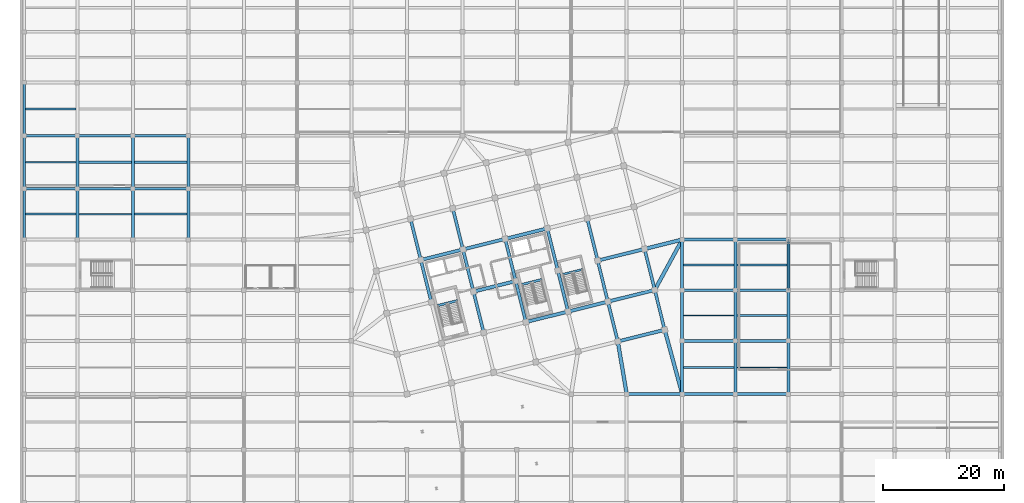
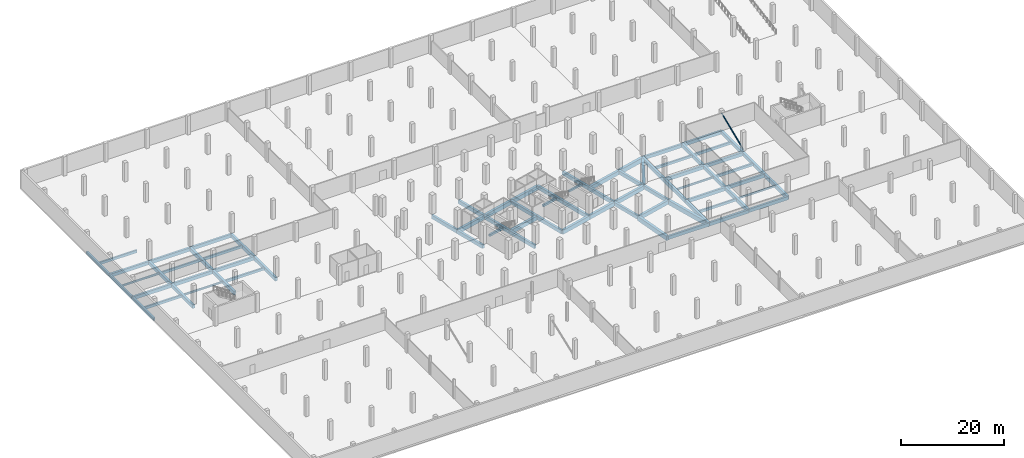
# One storey, part 11 of 31: 76 beams, 1 member.
"""IFC4 building model written with IfcOpenShell, lengths in metres."""

from ifc_helpers import new_model, si_unit, direction, frame, origin, origin_2d, place, context, subcontext, project, spatial, rectangle, hollow_circle, i_section, extrude, material, material_profile, profile_set, type_object, element, save


model = new_model("IFC4")

# Units and contexts
model_context = context("Model", 3, precision=1e-05, world=origin(), true_north=direction((0.0, 1.0)))
body_context = subcontext(model_context, "Body", "Model", "MODEL_VIEW")
ifc_project = project(units=[si_unit("LENGTHUNIT", "METRE"), si_unit("AREAUNIT", "SQUARE_METRE"), si_unit("VOLUMEUNIT", "CUBIC_METRE"), si_unit("PLANEANGLEUNIT", "RADIAN"), si_unit("MASSUNIT", "GRAM", prefix="KILO")], contexts=[model_context])

# Site, building, storey
site_placement = place(None, origin())
site = spatial("IfcSite", under=ifc_project, at=site_placement, CompositionType="ELEMENT")
building_placement = place(site_placement, origin())
building = spatial("IfcBuilding", under=site, at=building_placement, Name="Meriwether Solvik Hall", CompositionType="ELEMENT")
storey_placement = place(building_placement, frame((0.0, 0.0, -4.5)))
storey = spatial("IfcBuildingStorey", under=building, at=storey_placement, Name="B01", CompositionType="ELEMENT", Elevation=-4.5)

# Beams
ifc_material_1 = material(Name="Concrete C40/50", Category="concrete")
ifc_material_profile_1 = material_profile(ifc_material_1, rectangle(XDim=0.35009765625, YDim=0.419921875, at=origin_2d()), Name="RCB-350X420")
ifc_profile_set_1 = profile_set([ifc_material_profile_1], Name="Concrete C40/50")
beam_type_1 = type_object("IfcBeamType", Name="BM-LND-RC-350X420", PredefinedType="BEAM", material=ifc_profile_set_1)
beam_1_placement = place(storey_placement, frame((94.39892578125, 61.0302734375, 1.840087890625), z_axis=(0.970292601873, 0.24193442655, 0.0), x_axis=(-0.24193442655, 0.970292601873, 0.0)))
element("IfcBeam", 1, at=beam_1_placement, inside=storey, type_object=beam_type_1, Name="Stair ST-03 Half-Landing Header Beam (B01)", PredefinedType="BEAM", context=body_context, shape_type="SweptSolid", body=[
    extrude(rectangle(XDim=0.35009765625, YDim=0.419921875, at=origin_2d()), origin(), (0.0, 0.0, 1.0), 3.440185546875),
])
ifc_material_2 = material(Name="Concrete C40/50", Category="concrete")
ifc_material_profile_2 = material_profile(ifc_material_2, rectangle(XDim=0.39990234375, YDim=0.47998046875, at=origin_2d()), Name="RCB-400X480")
ifc_profile_set_2 = profile_set([ifc_material_profile_2], Name="Concrete C40/50")
beam_type_2 = type_object("IfcBeamType", Name="BM-LND-RC-400X480", PredefinedType="BEAM", material=ifc_profile_set_2)
beam_2_placement = place(storey_placement, frame((73.634521484375, 55.853271484375, 1.81005859375), z_axis=(0.970292601873, 0.24193442655, 0.0), x_axis=(-0.24193442655, 0.970292601873, 0.0)))
element("IfcBeam", 2, at=beam_2_placement, inside=storey, type_object=beam_type_2, Name="Stair ST-01 Half-Landing Header Beam (B01)", PredefinedType="BEAM", context=body_context, shape_type="SweptSolid", body=[
    extrude(rectangle(XDim=0.39990234375, YDim=0.47998046875, at=origin_2d()), origin(), (0.0, 0.0, 1.0), 3.440185546875),
])
beam_3_placement = place(storey_placement, frame((87.60693359375, 59.3369140625, 1.81005859375), z_axis=(0.970288447449, 0.24195108751, 0.0), x_axis=(-0.24195108751, 0.970288447449, 0.0)))
element("IfcBeam", 3, at=beam_3_placement, inside=storey, type_object=beam_type_2, Name="Stair ST-02 Half-Landing Header Beam (B01)", PredefinedType="BEAM", context=body_context, shape_type="SweptSolid", body=[
    extrude(rectangle(XDim=0.39990234375, YDim=0.47998046875, at=origin_2d()), origin(), (0.0, 0.0, 1.0), 3.43994140625),
])
ifc_material_3 = material(Name="Concrete C40/50", Category="concrete")
ifc_material_profile_3 = material_profile(ifc_material_3, rectangle(XDim=0.35009765625, YDim=0.60009765625, at=origin_2d()), Name="RCB-350X600")
ifc_profile_set_3 = profile_set([ifc_material_profile_3], Name="Concrete C40/50")
beam_type_3 = type_object("IfcBeamType", Name="BM-RC-350X600", PredefinedType="JOIST", material=ifc_profile_set_3)
for number, where, z_axis, x_axis, name in (
    (4, (5.39501953125, 71.0, -0.6298828125), (1.0, 0.0, 0.0), (0.0, 1.0, 0.0), "Secondary Floor Joist 1/H (B01)"),
    (5, (5.39501953125, 88.39990234375, -0.6298828125), (1.0, 0.0, 0.0), (0.0, 1.0, 0.0), "Secondary Floor Joist 1/J (B01)"),
):
    element("IfcBeam", number, at=place(storey_placement, frame(where, z_axis=z_axis, x_axis=x_axis)), inside=storey, type_object=beam_type_3, Name=name, PredefinedType="JOIST", context=body_context, shape_type="SweptSolid", body=[
        extrude(rectangle(XDim=0.35009765625, YDim=0.60009765625, at=origin_2d()), origin(), (0.0, 0.0, 1.0), 8.35986328125),
    ])
for number, where, z_axis, x_axis, name in (
    (6, (14.2451171875, 79.60009765625, -0.6298828125), (1.0, 0.0, 0.0), (0.0, 1.0, 0.0), "Secondary Floor Joist 2/I (B01)"),
    (7, (23.445068359375, 71.0, -0.6298828125), (1.0, 0.0, 0.0), (0.0, 1.0, 0.0), "Secondary Floor Joist 3/H (B01)"),
    (8, (23.445068359375, 79.60009765625, -0.6298828125), (1.0, 0.0, 0.0), (0.0, 1.0, 0.0), "Secondary Floor Joist 3/I (B01)"),
):
    element("IfcBeam", number, at=place(storey_placement, frame(where, z_axis=z_axis, x_axis=x_axis)), inside=storey, type_object=beam_type_3, Name=name, PredefinedType="JOIST", context=body_context, shape_type="SweptSolid", body=[
        extrude(rectangle(XDim=0.35009765625, YDim=0.60009765625, at=origin_2d()), origin(), (0.0, 0.0, 1.0), 8.7099609375),
    ])
for number, where, z_axis, x_axis, name in (
    (9, (114.445068359375, 45.60009765625, -0.699951171875), (1.0, 0.0, 0.0), (0.0, 1.0, 0.0), "Secondary Floor Joist 13/E (B01)"),
    (10, (114.445068359375, 62.60009765625, -0.699951171875), (1.0, 0.0, 0.0), (0.0, 1.0, 0.0), "Secondary Floor Joist 13/G (B01)"),
    (11, (123.2451171875, 54.199951171875, -0.6298828125), (1.0, 0.0, 0.0), (0.0, 1.0, 0.0), "Secondary Floor Joist 14/F (B01)"),
    (12, (123.2451171875, 62.60009765625, -0.6298828125), (1.0, 0.0, 0.0), (0.0, 1.0, 0.0), "Secondary Floor Joist 14/G (B01)"),
):
    element("IfcBeam", number, at=place(storey_placement, frame(where, z_axis=z_axis, x_axis=x_axis)), inside=storey, type_object=beam_type_3, Name=name, PredefinedType="JOIST", context=body_context, shape_type="SweptSolid", body=[
        extrude(rectangle(XDim=0.35009765625, YDim=0.60009765625, at=origin_2d()), origin(), (0.0, 0.0, 1.0), 8.309814453125),
    ])
ifc_material_4 = material(Name="Concrete C40/50", Category="concrete")
ifc_material_profile_4 = material_profile(ifc_material_4, rectangle(XDim=0.39990234375, YDim=0.64990234375, at=origin_2d()), Name="RCB-400X650")
ifc_profile_set_4 = profile_set([ifc_material_profile_4], Name="Concrete C40/50")
beam_type_4 = type_object("IfcBeamType", Name="BM-RC-400X650", PredefinedType="SPANDREL", material=ifc_profile_set_4)
beam_4_placement = place(storey_placement, frame((5.199951171875, 66.800048828125, -0.655029296875), z_axis=(0.0, 1.0, 0.0), x_axis=(-1.0, 0.0, 0.0)))
element("IfcBeam", 13, at=beam_4_placement, inside=storey, type_object=beam_type_4, Name="Podium Girder 1:H-I (B01)", PredefinedType="SPANDREL", context=body_context, shape_type="SweptSolid", body=[
    extrude(rectangle(XDim=0.39990234375, YDim=0.64990234375, at=origin_2d()), origin(), (0.0, 0.0, 1.0), 8.39990234375),
])
for number, where, z_axis, x_axis, name in (
    (14, (5.199951171875, 75.199951171875, -0.655029296875), (0.0, 1.0, 0.0), (-1.0, 0.0, 0.0), "Podium Girder 1:I-J (B01)"),
    (15, (5.199951171875, 84.0, -0.655029296875), (0.0, 1.0, 0.0), (-1.0, 0.0, 0.0), "Podium Girder 1:J-K (B01)"),
):
    element("IfcBeam", number, at=place(storey_placement, frame(where, z_axis=z_axis, x_axis=x_axis)), inside=storey, type_object=beam_type_4, Name=name, PredefinedType="SPANDREL", context=body_context, shape_type="SweptSolid", body=[
        extrude(rectangle(XDim=0.39990234375, YDim=0.64990234375, at=origin_2d()), origin(), (0.0, 0.0, 1.0), 8.800048828125),
    ])
ifc_material_5 = material(Name="Concrete C40/50", Category="concrete")
ifc_material_profile_5 = material_profile(ifc_material_5, rectangle(XDim=0.449951171875, YDim=0.800048828125, at=origin_2d()), Name="RCB-450X800")
ifc_profile_set_5 = profile_set([ifc_material_profile_5], Name="Concrete C40/50")
beam_type_5 = type_object("IfcBeamType", Name="BM-RC-450X800", PredefinedType="BEAM", material=ifc_profile_set_5)
beam_5_placement = place(storey_placement, frame((105.0, 41.199951171875, -0.800048828125), z_axis=(1.0, 0.0, 0.0), x_axis=(0.0, 1.0, 0.0)))
element("IfcBeam", 16, at=beam_5_placement, inside=storey, type_object=beam_type_5, Name="Podium Girder E:12-13 (B01)", PredefinedType="BEAM", context=body_context, shape_type="SweptSolid", body=[
    extrude(rectangle(XDim=0.449951171875, YDim=0.800048828125, at=origin_2d()), origin(), (0.0, 0.0, 1.0), 9.199951171875),
])
for number, where, z_axis, x_axis, name in (
    (17, (114.199951171875, 41.199951171875, -0.800048828125), (1.0, 0.0, 0.0), (0.0, 1.0, 0.0), "Podium Girder E:13-14 (B01)"),
    (18, (123.0, 41.199951171875, -0.72998046875), (1.0, 0.0, 0.0), (0.0, 1.0, 0.0), "Podium Girder E:14-15 (B01)"),
    (19, (114.199951171875, 50.0, -0.800048828125), (1.0, 0.0, 0.0), (0.0, 1.0, 0.0), "Podium Girder F:13-14 (B01)"),
    (20, (123.0, 50.0, -0.72998046875), (1.0, 0.0, 0.0), (0.0, 1.0, 0.0), "Podium Girder F:14-15 (B01)"),
    (21, (114.199951171875, 58.39990234375, -0.800048828125), (1.0, 0.0, 0.0), (0.0, 1.0, 0.0), "Podium Girder G:13-14 (B01)"),
    (22, (123.0, 58.39990234375, -0.72998046875), (1.0, 0.0, 0.0), (0.0, 1.0, 0.0), "Podium Girder G:14-15 (B01)"),
    (23, (114.199951171875, 66.800048828125, -0.800048828125), (1.0, 0.0, 0.0), (0.0, 1.0, 0.0), "Podium Girder H:13-14 (B01)"),
    (24, (123.0, 66.800048828125, -0.72998046875), (1.0, 0.0, 0.0), (0.0, 1.0, 0.0), "Podium Girder H:14-15 (B01)"),
    (25, (5.199951171875, 75.199951171875, -0.72998046875), (1.0, 0.0, 0.0), (0.0, 1.0, 0.0), "Podium Girder I:1-2 (B01)"),
):
    element("IfcBeam", number, at=place(storey_placement, frame(where, z_axis=z_axis, x_axis=x_axis)), inside=storey, type_object=beam_type_5, Name=name, PredefinedType="BEAM", context=body_context, shape_type="SweptSolid", body=[
        extrude(rectangle(XDim=0.449951171875, YDim=0.800048828125, at=origin_2d()), origin(), (0.0, 0.0, 1.0), 8.800048828125),
    ])
for number, where, z_axis, x_axis, name in (
    (26, (14.0, 75.199951171875, -0.72998046875), (1.0, 0.0, 0.0), (0.0, 1.0, 0.0), "Podium Girder I:2-3 (B01)"),
    (27, (23.199951171875, 75.199951171875, -0.72998046875), (1.0, 0.0, 0.0), (0.0, 1.0, 0.0), "Podium Girder I:3-4 (B01)"),
):
    element("IfcBeam", number, at=place(storey_placement, frame(where, z_axis=z_axis, x_axis=x_axis)), inside=storey, type_object=beam_type_5, Name=name, PredefinedType="BEAM", context=body_context, shape_type="SweptSolid", body=[
        extrude(rectangle(XDim=0.449951171875, YDim=0.800048828125, at=origin_2d()), origin(), (0.0, 0.0, 1.0), 9.199951171875),
    ])
beam_6_placement = place(storey_placement, frame((5.199951171875, 84.0, -0.72998046875), z_axis=(1.0, 0.0, 0.0), x_axis=(0.0, 1.0, 0.0)))
element("IfcBeam", 28, at=beam_6_placement, inside=storey, type_object=beam_type_5, Name="Podium Girder J:1-2 (B01)", PredefinedType="BEAM", context=body_context, shape_type="SweptSolid", body=[
    extrude(rectangle(XDim=0.449951171875, YDim=0.800048828125, at=origin_2d()), origin(), (0.0, 0.0, 1.0), 8.800048828125),
])
for number, where, z_axis, x_axis, name in (
    (29, (14.0, 84.0, -0.72998046875), (1.0, 0.0, 0.0), (0.0, 1.0, 0.0), "Podium Girder J:2-3 (B01)"),
    (30, (23.199951171875, 84.0, -0.72998046875), (1.0, 0.0, 0.0), (0.0, 1.0, 0.0), "Podium Girder J:3-4 (B01)"),
):
    element("IfcBeam", number, at=place(storey_placement, frame(where, z_axis=z_axis, x_axis=x_axis)), inside=storey, type_object=beam_type_5, Name=name, PredefinedType="BEAM", context=body_context, shape_type="SweptSolid", body=[
        extrude(rectangle(XDim=0.449951171875, YDim=0.800048828125, at=origin_2d()), origin(), (0.0, 0.0, 1.0), 9.199951171875),
    ])
ifc_material_6 = material(Name="Concrete C40/50", Category="concrete")
ifc_material_profile_6 = material_profile(ifc_material_6, rectangle(XDim=0.5, YDim=0.85009765625, at=origin_2d()), Name="RCB-500X850")
ifc_profile_set_6 = profile_set([ifc_material_profile_6], Name="Concrete C40/50")
beam_type_6 = type_object("IfcBeamType", Name="BM-RC-500X850", PredefinedType="BEAM", material=ifc_profile_set_6)
beam_7_placement = place(storey_placement, frame((14.0, 66.800048828125, -0.7548828125), z_axis=(0.0, 1.0, 0.0), x_axis=(-1.0, 0.0, 0.0)))
element("IfcBeam", 31, at=beam_7_placement, inside=storey, type_object=beam_type_6, Name="Podium Girder 2:H-I (B01)", PredefinedType="BEAM", context=body_context, shape_type="SweptSolid", body=[
    extrude(rectangle(XDim=0.5, YDim=0.85009765625, at=origin_2d()), origin(), (0.0, 0.0, 1.0), 8.39990234375),
])
beam_8_placement = place(storey_placement, frame((14.0, 75.199951171875, -0.7548828125), z_axis=(0.0, 1.0, 0.0), x_axis=(-1.0, 0.0, 0.0)))
element("IfcBeam", 32, at=beam_8_placement, inside=storey, type_object=beam_type_6, Name="Podium Girder 2:I-J (B01)", PredefinedType="BEAM", context=body_context, shape_type="SweptSolid", body=[
    extrude(rectangle(XDim=0.5, YDim=0.85009765625, at=origin_2d()), origin(), (0.0, 0.0, 1.0), 8.800048828125),
])
beam_9_placement = place(storey_placement, frame((23.199951171875, 66.800048828125, -0.7548828125), z_axis=(0.0, 1.0, 0.0), x_axis=(-1.0, 0.0, 0.0)))
element("IfcBeam", 33, at=beam_9_placement, inside=storey, type_object=beam_type_6, Name="Podium Girder 3:H-I (B01)", PredefinedType="BEAM", context=body_context, shape_type="SweptSolid", body=[
    extrude(rectangle(XDim=0.5, YDim=0.85009765625, at=origin_2d()), origin(), (0.0, 0.0, 1.0), 8.39990234375),
])
beam_10_placement = place(storey_placement, frame((23.199951171875, 75.199951171875, -0.7548828125), z_axis=(0.0, 1.0, 0.0), x_axis=(-1.0, 0.0, 0.0)))
element("IfcBeam", 34, at=beam_10_placement, inside=storey, type_object=beam_type_6, Name="Podium Girder 3:I-J (B01)", PredefinedType="BEAM", context=body_context, shape_type="SweptSolid", body=[
    extrude(rectangle(XDim=0.5, YDim=0.85009765625, at=origin_2d()), origin(), (0.0, 0.0, 1.0), 8.800048828125),
])
beam_11_placement = place(storey_placement, frame((32.39990234375, 66.800048828125, -0.7548828125), z_axis=(0.0, 1.0, 0.0), x_axis=(-1.0, 0.0, 0.0)))
element("IfcBeam", 35, at=beam_11_placement, inside=storey, type_object=beam_type_6, Name="Podium Girder 4:H-I (B01)", PredefinedType="BEAM", context=body_context, shape_type="SweptSolid", body=[
    extrude(rectangle(XDim=0.5, YDim=0.85009765625, at=origin_2d()), origin(), (0.0, 0.0, 1.0), 8.39990234375),
])
for number, where, z_axis, x_axis, name in (
    (36, (32.39990234375, 75.199951171875, -0.7548828125), (0.0, 1.0, 0.0), (-1.0, 0.0, 0.0), "Podium Girder 4:I-J (B01)"),
    (37, (114.199951171875, 41.199951171875, -0.824951171875), (0.0, 1.0, 0.0), (-1.0, 0.0, 0.0), "Podium Girder 13:E-F (B01)"),
):
    element("IfcBeam", number, at=place(storey_placement, frame(where, z_axis=z_axis, x_axis=x_axis)), inside=storey, type_object=beam_type_6, Name=name, PredefinedType="BEAM", context=body_context, shape_type="SweptSolid", body=[
        extrude(rectangle(XDim=0.5, YDim=0.85009765625, at=origin_2d()), origin(), (0.0, 0.0, 1.0), 8.800048828125),
    ])
beam_12_placement = place(storey_placement, frame((114.199951171875, 50.0, -0.824951171875), z_axis=(0.0, 1.0, 0.0), x_axis=(-1.0, 0.0, 0.0)))
element("IfcBeam", 38, at=beam_12_placement, inside=storey, type_object=beam_type_6, Name="Podium Girder 13:F-G (B01)", PredefinedType="BEAM", context=body_context, shape_type="SweptSolid", body=[
    extrude(rectangle(XDim=0.5, YDim=0.85009765625, at=origin_2d()), origin(), (0.0, 0.0, 1.0), 8.39990234375),
])
beam_13_placement = place(storey_placement, frame((114.199951171875, 58.39990234375, -0.824951171875), z_axis=(0.0, 1.0, 0.0), x_axis=(-1.0, 0.0, 0.0)))
element("IfcBeam", 39, at=beam_13_placement, inside=storey, type_object=beam_type_6, Name="Podium Girder 13:G-H (B01)", PredefinedType="BEAM", context=body_context, shape_type="SweptSolid", body=[
    extrude(rectangle(XDim=0.5, YDim=0.85009765625, at=origin_2d()), origin(), (0.0, 0.0, 1.0), 8.400146484375),
])
beam_14_placement = place(storey_placement, frame((123.0, 41.199951171875, -0.7548828125), z_axis=(0.0, 1.0, 0.0), x_axis=(-1.0, 0.0, 0.0)))
element("IfcBeam", 40, at=beam_14_placement, inside=storey, type_object=beam_type_6, Name="Podium Girder 14:E-F (B01)", PredefinedType="BEAM", context=body_context, shape_type="SweptSolid", body=[
    extrude(rectangle(XDim=0.5, YDim=0.85009765625, at=origin_2d()), origin(), (0.0, 0.0, 1.0), 8.800048828125),
])
beam_15_placement = place(storey_placement, frame((123.0, 50.0, -0.7548828125), z_axis=(0.0, 1.0, 0.0), x_axis=(-1.0, 0.0, 0.0)))
element("IfcBeam", 41, at=beam_15_placement, inside=storey, type_object=beam_type_6, Name="Podium Girder 14:F-G (B01)", PredefinedType="BEAM", context=body_context, shape_type="SweptSolid", body=[
    extrude(rectangle(XDim=0.5, YDim=0.85009765625, at=origin_2d()), origin(), (0.0, 0.0, 1.0), 8.39990234375),
])
beam_16_placement = place(storey_placement, frame((123.0, 58.39990234375, -0.7548828125), z_axis=(0.0, 1.0, 0.0), x_axis=(-1.0, 0.0, 0.0)))
element("IfcBeam", 42, at=beam_16_placement, inside=storey, type_object=beam_type_6, Name="Podium Girder 14:G-H (B01)", PredefinedType="BEAM", context=body_context, shape_type="SweptSolid", body=[
    extrude(rectangle(XDim=0.5, YDim=0.85009765625, at=origin_2d()), origin(), (0.0, 0.0, 1.0), 8.400146484375),
])
beam_17_placement = place(storey_placement, frame((131.800048828125, 41.199951171875, -0.7548828125), z_axis=(0.0, 1.0, 0.0), x_axis=(-1.0, 0.0, 0.0)))
element("IfcBeam", 43, at=beam_17_placement, inside=storey, type_object=beam_type_6, Name="Podium Girder 15:E-F (B01)", PredefinedType="BEAM", context=body_context, shape_type="SweptSolid", body=[
    extrude(rectangle(XDim=0.5, YDim=0.85009765625, at=origin_2d()), origin(), (0.0, 0.0, 1.0), 8.800048828125),
])
beam_18_placement = place(storey_placement, frame((131.800048828125, 50.0, -0.7548828125), z_axis=(0.0, 1.0, 0.0), x_axis=(-1.0, 0.0, 0.0)))
element("IfcBeam", 44, at=beam_18_placement, inside=storey, type_object=beam_type_6, Name="Podium Girder 15:F-G (B01)", PredefinedType="BEAM", context=body_context, shape_type="SweptSolid", body=[
    extrude(rectangle(XDim=0.5, YDim=0.85009765625, at=origin_2d()), origin(), (0.0, 0.0, 1.0), 8.39990234375),
])
beam_19_placement = place(storey_placement, frame((131.800048828125, 58.39990234375, -0.7548828125), z_axis=(0.0, 1.0, 0.0), x_axis=(-1.0, 0.0, 0.0)))
element("IfcBeam", 45, at=beam_19_placement, inside=storey, type_object=beam_type_6, Name="Podium Girder 15:G-H (B01)", PredefinedType="BEAM", context=body_context, shape_type="SweptSolid", body=[
    extrude(rectangle(XDim=0.5, YDim=0.85009765625, at=origin_2d()), origin(), (0.0, 0.0, 1.0), 8.400146484375),
])
beam_20_placement = place(storey_placement, frame((72.6357421875, 56.4287109375, -0.824951171875), z_axis=(-0.241937193493, 0.970291911955, 0.0), x_axis=(-0.970291911955, -0.241937193493, 0.0)))
element("IfcBeam", 46, at=beam_20_placement, inside=storey, type_object=beam_type_6, Name="Tower Girder T2:TC-TD (B01)", PredefinedType="BEAM", context=body_context, shape_type="SweptSolid", body=[
    extrude(rectangle(XDim=0.5, YDim=0.85009765625, at=origin_2d()), origin(), (0.0, 0.0, 1.0), 7.199951171875),
])
for number, where, z_axis, x_axis, name in (
    (47, (70.893798828125, 63.414794921875, -0.824951171875), (-0.241911879182, 0.970298223594, 0.0), (-0.970298223594, -0.241911879182, 0.0), "Tower Girder T2:TD-TE (B01)"),
    (48, (81.3154296875, 51.37841796875, -0.824951171875), (-0.241944715397, 0.970290036376, 0.0), (-0.970290036376, -0.241944715397, 0.0), "Tower Girder T3:TB-TC (B01)"),
):
    element("IfcBeam", number, at=place(storey_placement, frame(where, z_axis=z_axis, x_axis=x_axis)), inside=storey, type_object=beam_type_6, Name=name, PredefinedType="BEAM", context=body_context, shape_type="SweptSolid", body=[
        extrude(rectangle(XDim=0.5, YDim=0.85009765625, at=origin_2d()), origin(), (0.0, 0.0, 1.0), 7.0),
    ])
beam_21_placement = place(storey_placement, frame((79.621826171875, 58.17041015625, -0.824951171875), z_axis=(-0.241897310542, 0.970301855688, 0.0), x_axis=(-0.970301855688, -0.241897310542, 0.0)))
element("IfcBeam", 49, at=beam_21_placement, inside=storey, type_object=beam_type_6, Name="Tower Girder T3:TC-TD (B01)", PredefinedType="BEAM", context=body_context, shape_type="SweptSolid", body=[
    extrude(rectangle(XDim=0.5, YDim=0.85009765625, at=origin_2d()), origin(), (0.0, 0.0, 1.0), 7.2001953125),
])
for number, where, z_axis, x_axis, name in (
    (50, (77.880126953125, 65.15673828125, -0.824951171875), (-0.241944715397, 0.970290036376, 0.0), (-0.970290036376, -0.241944715397, 0.0), "Tower Girder T3:TD-TE (B01)"),
    (51, (88.301513671875, 53.120361328125, -0.824951171875), (-0.241944715397, 0.970290036376, 0.0), (-0.970290036376, -0.241944715397, 0.0), "Tower Girder T4:TB-TC (B01)"),
):
    element("IfcBeam", number, at=place(storey_placement, frame(where, z_axis=z_axis, x_axis=x_axis)), inside=storey, type_object=beam_type_6, Name=name, PredefinedType="BEAM", context=body_context, shape_type="SweptSolid", body=[
        extrude(rectangle(XDim=0.5, YDim=0.85009765625, at=origin_2d()), origin(), (0.0, 0.0, 1.0), 7.0),
    ])
beam_22_placement = place(storey_placement, frame((86.60791015625, 59.912353515625, -0.824951171875), z_axis=(-0.241905269381, 0.970299871507, 0.0), x_axis=(-0.970299871507, -0.241905269381, 0.0)))
element("IfcBeam", 52, at=beam_22_placement, inside=storey, type_object=beam_type_6, Name="Tower Girder T4:TC-TD (B01)", PredefinedType="BEAM", context=body_context, shape_type="SweptSolid", body=[
    extrude(rectangle(XDim=0.5, YDim=0.85009765625, at=origin_2d()), origin(), (0.0, 0.0, 1.0), 7.199951171875),
])
beam_23_placement = place(storey_placement, frame((95.28759765625, 54.862060546875, -0.824951171875), z_axis=(-0.241936527961, 0.970292077901, 0.0), x_axis=(-0.970292077901, -0.241936527961, 0.0)))
element("IfcBeam", 53, at=beam_23_placement, inside=storey, type_object=beam_type_6, Name="Tower Girder T5:TB-TC (B01)", PredefinedType="BEAM", context=body_context, shape_type="SweptSolid", body=[
    extrude(rectangle(XDim=0.5, YDim=0.85009765625, at=origin_2d()), origin(), (0.0, 0.0, 1.0), 7.000244140625),
])
beam_24_placement = place(storey_placement, frame((93.593994140625, 61.654296875, -0.824951171875), z_axis=(-0.241905269381, 0.970299871507, 0.0), x_axis=(-0.970299871507, -0.241905269381, 0.0)))
element("IfcBeam", 54, at=beam_24_placement, inside=storey, type_object=beam_type_6, Name="Tower Girder T5:TC-TD (B01)", PredefinedType="BEAM", context=body_context, shape_type="SweptSolid", body=[
    extrude(rectangle(XDim=0.5, YDim=0.85009765625, at=origin_2d()), origin(), (0.0, 0.0, 1.0), 7.199951171875),
])
beam_25_placement = place(storey_placement, frame((103.53076171875, 49.9091796875, -0.824951171875), z_axis=(-0.2419526798, 0.970288050394, 0.0), x_axis=(-0.970288050394, -0.2419526798, 0.0)))
element("IfcBeam", 55, at=beam_25_placement, inside=storey, type_object=beam_type_6, Name="Tower Girder T6:TA-TB (B01)", PredefinedType="BEAM", context=body_context, shape_type="SweptSolid", body=[
    extrude(rectangle(XDim=0.5, YDim=0.85009765625, at=origin_2d()), origin(), (0.0, 0.0, 1.0), 6.800048828125),
])
beam_26_placement = place(storey_placement, frame((101.885498046875, 56.507080078125, -0.824951171875), z_axis=(-0.241903692719, 0.970300264582, 0.0), x_axis=(-0.970300264582, -0.241903692719, 0.0)))
element("IfcBeam", 56, at=beam_26_placement, inside=storey, type_object=beam_type_6, Name="Tower Girder T6:TB-TC (B01)", PredefinedType="BEAM", context=body_context, shape_type="SweptSolid", body=[
    extrude(rectangle(XDim=0.5, YDim=0.85009765625, at=origin_2d()), origin(), (0.0, 0.0, 1.0), 7.000244140625),
])
beam_27_placement = place(storey_placement, frame((100.192138671875, 63.29931640625, -0.824951171875), z_axis=(-0.241937193493, 0.970291911955, 0.0), x_axis=(-0.970291911955, -0.241937193493, 0.0)))
element("IfcBeam", 57, at=beam_27_placement, inside=storey, type_object=beam_type_6, Name="Tower Girder T6:TC-TD (B01)", PredefinedType="BEAM", context=body_context, shape_type="SweptSolid", body=[
    extrude(rectangle(XDim=0.5, YDim=0.85009765625, at=origin_2d()), origin(), (0.0, 0.0, 1.0), 7.199951171875),
])
beam_28_placement = place(storey_placement, frame((111.29296875, 51.844482421875, -0.824951171875), z_axis=(-0.24191045034, 0.970298579828, 0.0), x_axis=(-0.970298579828, -0.24191045034, 0.0)))
element("IfcBeam", 58, at=beam_28_placement, inside=storey, type_object=beam_type_6, Name="Tower Girder T7:TA-TB (B01)", PredefinedType="BEAM", context=body_context, shape_type="SweptSolid", body=[
    extrude(rectangle(XDim=0.5, YDim=0.85009765625, at=origin_2d()), origin(), (0.0, 0.0, 1.0), 6.800048828125),
])
beam_29_placement = place(storey_placement, frame((109.64794921875, 58.442626953125, -0.824951171875), z_axis=(-0.241911879182, 0.970298223594, 0.0), x_axis=(-0.970298223594, -0.241911879182, 0.0)))
element("IfcBeam", 59, at=beam_29_placement, inside=storey, type_object=beam_type_6, Name="Tower Girder T7:TB-TC (B01)", PredefinedType="BEAM", context=body_context, shape_type="SweptSolid", body=[
    extrude(rectangle(XDim=0.5, YDim=0.85009765625, at=origin_2d()), origin(), (0.0, 0.0, 1.0), 7.0),
])
ifc_material_7 = material(Name="Concrete C40/50", Category="concrete")
ifc_material_profile_7 = material_profile(ifc_material_7, rectangle(XDim=0.550048828125, YDim=0.949951171875, at=origin_2d()), Name="RCB-550X950")
ifc_profile_set_7 = profile_set([ifc_material_profile_7], Name="Concrete C40/50")
beam_type_7 = type_object("IfcBeamType", Name="BM-RC-550X950", PredefinedType="BEAM", material=ifc_profile_set_7)
beam_30_placement = place(storey_placement, frame((103.53076171875, 49.9091796875, -0.875), z_axis=(0.970296689949, 0.241918030485, 0.0), x_axis=(-0.241918030485, 0.970296689949, 0.0)))
element("IfcBeam", 60, at=beam_30_placement, inside=storey, type_object=beam_type_7, Name="Tower Girder TA:T6-T7 (B01)", PredefinedType="BEAM", context=body_context, shape_type="SweptSolid", body=[
    extrude(rectangle(XDim=0.550048828125, YDim=0.949951171875, at=origin_2d()), origin(), (0.0, 0.0, 1.0), 7.999755859375),
])
beam_31_placement = place(storey_placement, frame((88.301513671875, 53.120361328125, -0.875), z_axis=(0.970299871507, 0.241905269381, 0.0), x_axis=(-0.241905269381, 0.970299871507, 0.0)))
element("IfcBeam", 61, at=beam_31_placement, inside=storey, type_object=beam_type_7, Name="Tower Girder TB:T4-T5 (B01)", PredefinedType="BEAM", context=body_context, shape_type="SweptSolid", body=[
    extrude(rectangle(XDim=0.550048828125, YDim=0.949951171875, at=origin_2d()), origin(), (0.0, 0.0, 1.0), 7.199951171875),
])
beam_32_placement = place(storey_placement, frame((95.28759765625, 54.862060546875, -0.875), z_axis=(0.970296478685, 0.241918877831, 0.0), x_axis=(-0.241918877831, 0.970296478685, 0.0)))
element("IfcBeam", 62, at=beam_32_placement, inside=storey, type_object=beam_type_7, Name="Tower Girder TB:T5-T6 (B01)", PredefinedType="BEAM", context=body_context, shape_type="SweptSolid", body=[
    extrude(rectangle(XDim=0.550048828125, YDim=0.949951171875, at=origin_2d()), origin(), (0.0, 0.0, 1.0), 6.7998046875),
])
beam_33_placement = place(storey_placement, frame((101.885498046875, 56.507080078125, -0.875), z_axis=(0.970291312354, 0.241939598187, 0.0), x_axis=(-0.241939598187, 0.970291312354, 0.0)))
element("IfcBeam", 63, at=beam_33_placement, inside=storey, type_object=beam_type_7, Name="Tower Girder TB:T6-T7 (B01)", PredefinedType="BEAM", context=body_context, shape_type="SweptSolid", body=[
    extrude(rectangle(XDim=0.550048828125, YDim=0.949951171875, at=origin_2d()), origin(), (0.0, 0.0, 1.0), 8.000244140625),
])
beam_34_placement = place(storey_placement, frame((79.621826171875, 58.17041015625, -0.875), z_axis=(0.970291911955, 0.241937193493, 0.0), x_axis=(-0.241937193493, 0.970291911955, 0.0)))
element("IfcBeam", 64, at=beam_34_placement, inside=storey, type_object=beam_type_7, Name="Tower Girder TC:T3-T4 (B01)", PredefinedType="BEAM", context=body_context, shape_type="SweptSolid", body=[
    extrude(rectangle(XDim=0.550048828125, YDim=0.949951171875, at=origin_2d()), origin(), (0.0, 0.0, 1.0), 7.199951171875),
])
beam_35_placement = place(storey_placement, frame((100.192138671875, 63.29931640625, -0.875), z_axis=(0.970298475929, 0.241910867076, 0.0), x_axis=(-0.241910867076, 0.970298475929, 0.0)))
element("IfcBeam", 65, at=beam_35_placement, inside=storey, type_object=beam_type_7, Name="Tower Girder TC:T6-T7 (B01)", PredefinedType="BEAM", context=body_context, shape_type="SweptSolid", body=[
    extrude(rectangle(XDim=0.550048828125, YDim=0.949951171875, at=origin_2d()), origin(), (0.0, 0.0, 1.0), 8.0),
])
beam_36_placement = place(storey_placement, frame((70.893798828125, 63.414794921875, -0.875), z_axis=(0.970293896644, 0.241929233735, 0.0), x_axis=(-0.241929233735, 0.970293896644, 0.0)))
element("IfcBeam", 66, at=beam_36_placement, inside=storey, type_object=beam_type_7, Name="Tower Girder TD:T2-T3 (B01)", PredefinedType="BEAM", context=body_context, shape_type="SweptSolid", body=[
    extrude(rectangle(XDim=0.550048828125, YDim=0.949951171875, at=origin_2d()), origin(), (0.0, 0.0, 1.0), 7.2001953125),
])
for number, where, z_axis, x_axis, name in (
    (67, (77.880126953125, 65.15673828125, -0.875), (0.970299871507, 0.241905269381, 0.0), (-0.241905269381, 0.970299871507, 0.0), "Tower Girder TD:T3-T4 (B01)"),
    (68, (84.8662109375, 66.8984375, -0.875), (0.970291911955, 0.241937193493, 0.0), (-0.241937193493, 0.970291911955, 0.0), "Tower Girder TD:T4-T5 (B01)"),
):
    element("IfcBeam", number, at=place(storey_placement, frame(where, z_axis=z_axis, x_axis=x_axis)), inside=storey, type_object=beam_type_7, Name=name, PredefinedType="BEAM", context=body_context, shape_type="SweptSolid", body=[
        extrude(rectangle(XDim=0.550048828125, YDim=0.949951171875, at=origin_2d()), origin(), (0.0, 0.0, 1.0), 7.199951171875),
    ])
ifc_material_8 = material(Name="Concrete C40/50", Category="concrete")
ifc_material_profile_8 = material_profile(ifc_material_8, rectangle(XDim=0.60009765625, YDim=1.050048828125, at=origin_2d()), Name="RCB-600X1050")
ifc_profile_set_8 = profile_set([ifc_material_profile_8], Name="Concrete C40/50")
beam_type_8 = type_object("IfcBeamType", Name="BM-RC-600X1050", PredefinedType="BEAM", material=ifc_profile_set_8)
beam_37_placement = place(storey_placement, frame((103.53076171875, 49.9091796875, -0.925048828125), z_axis=(0.166348535765, -0.986067018335, 0.0), x_axis=(0.986067018335, 0.166348535765, 0.0)))
element("IfcBeam", 69, at=beam_37_placement, inside=storey, type_object=beam_type_8, Name="Diaphragm Collector Girder T6/TA-12/E (B01)", PredefinedType="BEAM", context=body_context, shape_type="SweptSolid", body=[
    extrude(rectangle(XDim=0.60009765625, YDim=1.050048828125, at=origin_2d()), origin(), (0.0, 0.0, 1.0), 8.832275390625),
])
beam_38_placement = place(storey_placement, frame((111.29296875, 51.844482421875, -0.925048828125), z_axis=(0.263448762729, -0.964673390022, 0.0), x_axis=(0.964673390022, 0.263448762729, 0.0)))
element("IfcBeam", 70, at=beam_38_placement, inside=storey, type_object=beam_type_8, Name="Diaphragm Collector Girder T7/TA-13/E (B01)", PredefinedType="BEAM", context=body_context, shape_type="SweptSolid", body=[
    extrude(rectangle(XDim=0.60009765625, YDim=1.050048828125, at=origin_2d()), origin(), (0.0, 0.0, 1.0), 11.034423828125),
])
beam_39_placement = place(storey_placement, frame((109.64794921875, 58.442626953125, -0.925048828125), z_axis=(0.478318210879, 0.878186591301, 0.0), x_axis=(-0.878186591301, 0.478318210879, 0.0)))
element("IfcBeam", 71, at=beam_39_placement, inside=storey, type_object=beam_type_8, Name="Diaphragm Collector Girder T7/TB-13/H (B01)", PredefinedType="BEAM", context=body_context, shape_type="SweptSolid", body=[
    extrude(rectangle(XDim=0.60009765625, YDim=1.050048828125, at=origin_2d()), origin(), (0.0, 0.0, 1.0), 9.5166015625),
])
beam_40_placement = place(storey_placement, frame((107.95458984375, 65.234619140625, -0.925048828125), z_axis=(0.969992872522, 0.243133352825, 0.0), x_axis=(-0.243133352825, 0.969992872522, 0.0)))
element("IfcBeam", 72, at=beam_40_placement, inside=storey, type_object=beam_type_8, Name="Diaphragm Collector Girder T7/TC-13/H (B01)", PredefinedType="BEAM", context=body_context, shape_type="SweptSolid", body=[
    extrude(rectangle(XDim=0.60009765625, YDim=1.050048828125, at=origin_2d()), origin(), (0.0, 0.0, 1.0), 6.4384765625),
])
ifc_material_9 = material(Name="Steel A992 Grade 50", Category="steel")
ifc_material_profile_9 = material_profile(ifc_material_9, i_section(OverallWidth=0.19091796875, OverallDepth=0.45703125, WebThickness=0.009033203125, FlangeThickness=0.014404296875, at=origin_2d()), Name="W18X50")
ifc_profile_set_9 = profile_set([ifc_material_profile_9], Name="Steel A992 Grade 50")
beam_type_9 = type_object("IfcBeamType", Name="BM-STL-W18X50", PredefinedType="JOIST", material=ifc_profile_set_9)
beam_41_placement = place(storey_placement, frame((5.39501953125, 79.60009765625, -0.55859375), z_axis=(1.0, 0.0, 0.0), x_axis=(0.0, 1.0, 0.0)))
element("IfcBeam", 73, at=beam_41_placement, inside=storey, type_object=beam_type_9, Name="Secondary Floor Joist 1/I (B01)", PredefinedType="JOIST", context=body_context, shape_type="SweptSolid", body=[
    extrude(i_section(OverallWidth=0.19091796875, OverallDepth=0.45703125, WebThickness=0.009033203125, FlangeThickness=0.014404296875, at=origin_2d()), origin(), (0.0, 0.0, 1.0), 8.35986328125),
])
beam_42_placement = place(storey_placement, frame((14.2451171875, 71.0, -0.55859375), z_axis=(1.0, 0.0, 0.0), x_axis=(0.0, 1.0, 0.0)))
element("IfcBeam", 74, at=beam_42_placement, inside=storey, type_object=beam_type_9, Name="Secondary Floor Joist 2/H (B01)", PredefinedType="JOIST", context=body_context, shape_type="SweptSolid", body=[
    extrude(i_section(OverallWidth=0.19091796875, OverallDepth=0.45703125, WebThickness=0.009033203125, FlangeThickness=0.014404296875, at=origin_2d()), origin(), (0.0, 0.0, 1.0), 8.7099609375),
])
for number, where, z_axis, x_axis, name in (
    (75, (114.445068359375, 54.199951171875, -0.62841796875), (1.0, 0.0, 0.0), (0.0, 1.0, 0.0), "Secondary Floor Joist 13/F (B01)"),
    (76, (123.2451171875, 45.60009765625, -0.55859375), (1.0, 0.0, 0.0), (0.0, 1.0, 0.0), "Secondary Floor Joist 14/E (B01)"),
):
    element("IfcBeam", number, at=place(storey_placement, frame(where, z_axis=z_axis, x_axis=x_axis)), inside=storey, type_object=beam_type_9, Name=name, PredefinedType="JOIST", context=body_context, shape_type="SweptSolid", body=[
        extrude(i_section(OverallWidth=0.19091796875, OverallDepth=0.45703125, WebThickness=0.009033203125, FlangeThickness=0.014404296875, at=origin_2d()), origin(), (0.0, 0.0, 1.0), 8.309814453125),
    ])

# Member
ifc_material_10 = material(Name="Steel A500 Grade C", Category="steel")
ifc_material_profile_10 = material_profile(ifc_material_10, hollow_circle(Radius=0.136474609375, WallThickness=0.0126953125, at=origin_2d()), Name="CHS273X12.7")
ifc_profile_set_10 = profile_set([ifc_material_profile_10], Name="Steel A500 Grade C")
member_type = type_object("IfcMemberType", Name="MEM-BR-CHS273", PredefinedType="BRACE", material=ifc_profile_set_10)
member_placement = place(storey_placement, frame((131.800048828125, 58.39990234375, 0.14990234375), z_axis=(0.0, 0.923469505925, 0.383671828035), x_axis=(-1.0, 0.0, 0.0)))
element("IfcMember", 77, at=member_placement, inside=storey, type_object=member_type, Name="Podium Diagonal Brace B01-PB3", PredefinedType="BRACE", context=body_context, shape_type="SweptSolid", body=[
    extrude(hollow_circle(Radius=0.136474609375, WallThickness=0.0126953125, at=origin_2d()), origin(), (0.0, 0.0, 1.0), 9.09619140625),
])

save(model, "model.ifc")
